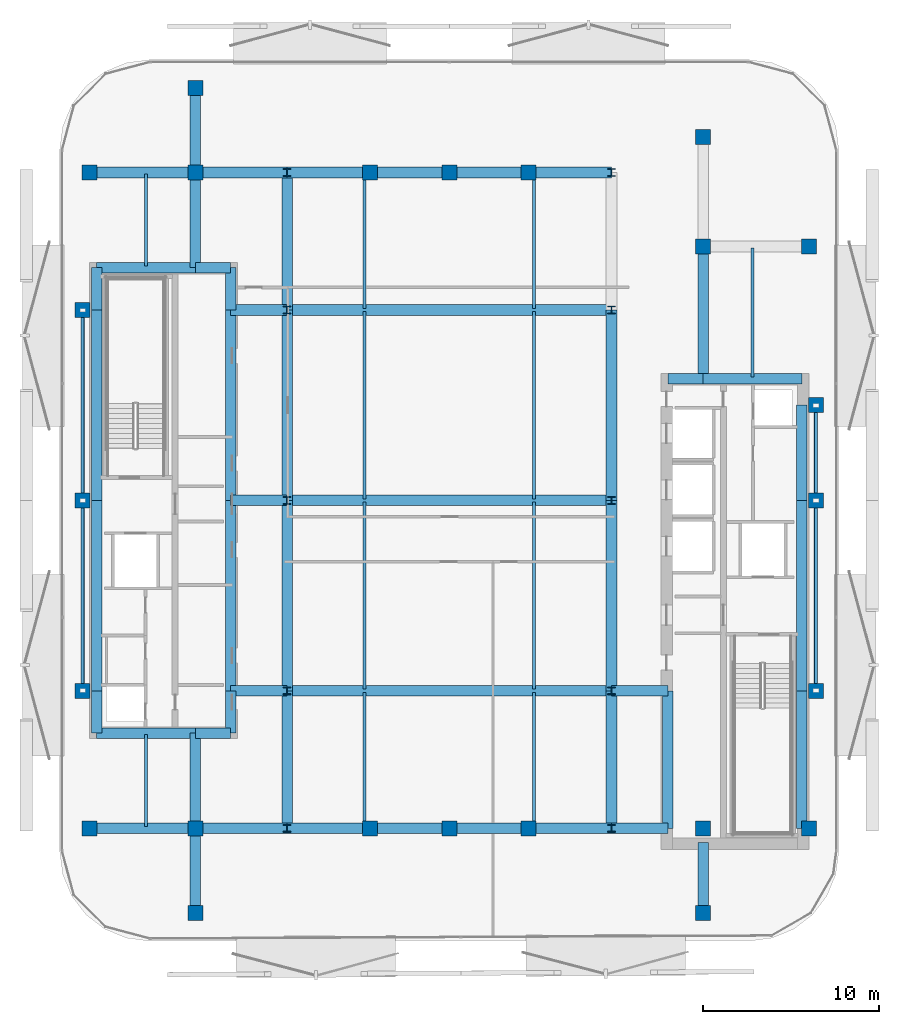
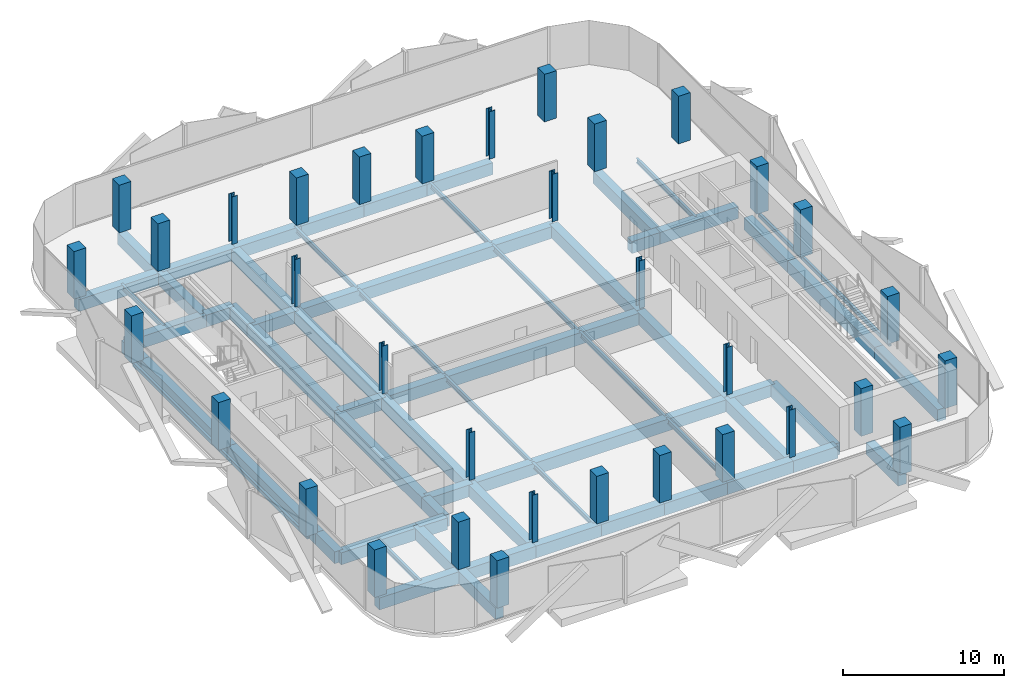
# One storey, part 1 of 11: 66 beams, 34 columns.
"""IFC4 building model written with IfcOpenShell, lengths in metres."""

from ifc_helpers import new_model, si_unit, direction, frame, origin, origin_2d, place, context, subcontext, project, spatial, rectangle, hollow_rectangle, i_section, extrude, material, material_profile, profile_set, type_object, element, save


model = new_model("IFC4")

# Units and contexts
model_context = context("Model", 3, precision=1e-05, world=origin(), true_north=direction((0.0, 1.0)))
body_context = subcontext(model_context, "Body", "Model", "MODEL_VIEW")
ifc_project = project(units=[si_unit("LENGTHUNIT", "METRE"), si_unit("AREAUNIT", "SQUARE_METRE"), si_unit("VOLUMEUNIT", "CUBIC_METRE"), si_unit("PLANEANGLEUNIT", "RADIAN"), si_unit("MASSUNIT", "GRAM", prefix="KILO")], contexts=[model_context])

# Site, building, storey
site_placement = place(None, origin())
site = spatial("IfcSite", under=ifc_project, at=site_placement, CompositionType="ELEMENT")
building_placement = place(site_placement, origin())
building = spatial("IfcBuilding", under=site, at=building_placement, Name="Khairoan Windgate Tower", CompositionType="ELEMENT")
storey_placement = place(building_placement, frame((0.0, 0.0, 222.39990234375)))
storey = spatial("IfcBuildingStorey", under=building, at=storey_placement, Name="L51", CompositionType="ELEMENT", Elevation=222.39990234375)

# Columns
ifc_material_1 = material(Name="Concrete C50/60", Category="concrete")
ifc_material_profile_1 = material_profile(ifc_material_1, rectangle(XDim=0.85009765625, YDim=0.85009765625, at=origin_2d()))
ifc_profile_set_1 = profile_set([ifc_material_profile_1], Name="Concrete C50/60")
column_type_1 = type_object("IfcColumnType", Name="Column C-T5 RC850x850", PredefinedType="COLUMN", material=ifc_profile_set_1)
for number, where, z_axis, x_axis, name in (
    (1, (-20.39990234375, -18.60009765625, 0.0), (0.0, 0.0, 1.0), (1.0, 0.0, 0.0), "Column L51-11"),
    (2, (-20.39990234375, 18.60009765625, 0.0), (0.0, 0.0, 1.0), (1.0, 0.0, 0.0), "Column L51-12"),
    (3, (20.39990234375, -18.60009765625, 0.0), (0.0, 0.0, 1.0), (1.0, 0.0, 0.0), "Column L51-13"),
    (4, (20.39990234375, 14.39990234375, 0.0), (0.0, 0.0, 1.0), (1.0, 0.0, 0.0), "Column L51-14"),
    (5, (-14.39990234375, -18.60009765625, 0.0), (0.0, 0.0, 1.0), (1.0, 0.0, 0.0), "Column L51-15"),
    (6, (-14.39990234375, 18.60009765625, 0.0), (0.0, 0.0, 1.0), (1.0, 0.0, 0.0), "Column L51-16"),
    (7, (14.39990234375, -18.60009765625, 0.0), (0.0, 0.0, 1.0), (1.0, 0.0, 0.0), "Column L51-17"),
    (8, (14.39990234375, 14.39990234375, 0.0), (0.0, 0.0, 1.0), (1.0, 0.0, 0.0), "Column L51-18"),
    (9, (-4.5, -18.60009765625, 0.0), (0.0, 0.0, 1.0), (1.0, 0.0, 0.0), "Column L51-19"),
    (10, (0.0, -18.60009765625, 0.0), (0.0, 0.0, 1.0), (1.0, 0.0, 0.0), "Column L51-20"),
    (11, (4.5, -18.60009765625, 0.0), (0.0, 0.0, 1.0), (1.0, 0.0, 0.0), "Column L51-21"),
    (12, (-4.5, 18.60009765625, 0.0), (0.0, 0.0, 1.0), (1.0, 0.0, 0.0), "Column L51-22"),
    (13, (0.0, 18.60009765625, 0.0), (0.0, 0.0, 1.0), (1.0, 0.0, 0.0), "Column L51-23"),
    (14, (4.5, 18.60009765625, 0.0), (0.0, 0.0, 1.0), (1.0, 0.0, 0.0), "Column L51-24"),
    (15, (-20.800048828125, -10.800048828125, 0.0), (0.0, 0.0, 1.0), (1.0, 0.0, 0.0), "Column L51-25"),
    (16, (-20.800048828125, 0.0, 0.0), (0.0, 0.0, 1.0), (1.0, 0.0, 0.0), "Column L51-26"),
    (17, (-20.800048828125, 10.800048828125, 0.0), (0.0, 0.0, 1.0), (1.0, 0.0, 0.0), "Column L51-27"),
    (18, (20.800048828125, -10.800048828125, 0.0), (0.0, 0.0, 1.0), (1.0, 0.0, 0.0), "Column L51-28"),
    (19, (20.800048828125, 0.0, 0.0), (0.0, 0.0, 1.0), (1.0, 0.0, 0.0), "Column L51-29"),
    (20, (20.800048828125, 5.39990234375, 0.0), (0.0, 0.0, 1.0), (1.0, 0.0, 0.0), "Column L51-30"),
    (21, (-14.39990234375, -23.39990234375, 0.0), (0.0, 0.0, 1.0), (1.0, 0.0, 0.0), "Column L51-31"),
    (22, (-14.39990234375, 23.39990234375, 0.0), (0.0, 0.0, 1.0), (1.0, 0.0, 0.0), "Column L51-32"),
    (23, (14.39990234375, -23.39990234375, 0.0), (0.0, 0.0, 1.0), (1.0, 0.0, 0.0), "Column L51-33"),
    (24, (14.39990234375, 20.60009765625, 0.0), (0.0, 0.0, 1.0), (1.0, 0.0, 0.0), "Column L51-34"),
):
    element("IfcColumn", number, at=place(storey_placement, frame(where, z_axis=z_axis, x_axis=x_axis)), inside=storey, type_object=column_type_1, Name=name, PredefinedType="COLUMN", context=body_context, shape_type="SweptSolid", body=[
        extrude(rectangle(XDim=0.85009765625, YDim=0.85009765625, at=origin_2d()), origin(), (0.0, 0.0, 1.0), 3.60009765625),
    ])
ifc_material_2 = material(Name="Steel S355", Category="steel")
ifc_material_profile_2 = material_profile(ifc_material_2, i_section(OverallWidth=0.406982421875, OverallDepth=0.427978515625, WebThickness=0.02001953125, FlangeThickness=0.034912109375, FilletRadius=0.02197265625, at=origin_2d()))
ifc_profile_set_2 = profile_set([ifc_material_profile_2], Name="Steel S355")
column_type_2 = type_object("IfcColumnType", Name="Steel Column SC3 H428x407x20x35", PredefinedType="COLUMN", material=ifc_profile_set_2)
for number, where, z_axis, x_axis, name in (
    (25, (-9.199951171875, -18.60009765625, 0.0), (0.0, 0.0, 1.0), (1.0, 0.0, 0.0), "Column L51-01"),
    (26, (-9.199951171875, -10.800048828125, 0.0), (0.0, 0.0, 1.0), (1.0, 0.0, 0.0), "Column L51-02"),
    (27, (-9.199951171875, 0.0, 0.0), (0.0, 0.0, 1.0), (1.0, 0.0, 0.0), "Column L51-03"),
    (28, (-9.199951171875, 10.800048828125, 0.0), (0.0, 0.0, 1.0), (1.0, 0.0, 0.0), "Column L51-04"),
    (29, (-9.199951171875, 18.60009765625, 0.0), (0.0, 0.0, 1.0), (1.0, 0.0, 0.0), "Column L51-05"),
    (30, (9.199951171875, -18.60009765625, 0.0), (0.0, 0.0, 1.0), (1.0, 0.0, 0.0), "Column L51-06"),
    (31, (9.199951171875, -10.800048828125, 0.0), (0.0, 0.0, 1.0), (1.0, 0.0, 0.0), "Column L51-07"),
    (32, (9.199951171875, 0.0, 0.0), (0.0, 0.0, 1.0), (1.0, 0.0, 0.0), "Column L51-08"),
    (33, (9.199951171875, 10.800048828125, 0.0), (0.0, 0.0, 1.0), (1.0, 0.0, 0.0), "Column L51-09"),
    (34, (9.199951171875, 18.60009765625, 0.0), (0.0, 0.0, 1.0), (1.0, 0.0, 0.0), "Column L51-10"),
):
    element("IfcColumn", number, at=place(storey_placement, frame(where, z_axis=z_axis, x_axis=x_axis)), inside=storey, type_object=column_type_2, Name=name, PredefinedType="COLUMN", context=body_context, shape_type="SweptSolid", body=[
        extrude(i_section(OverallWidth=0.406982421875, OverallDepth=0.427978515625, WebThickness=0.02001953125, FlangeThickness=0.034912109375, FilletRadius=0.02197265625, at=origin_2d()), origin(), (0.0, 0.0, 1.0), 3.60009765625),
    ])

# Beams
ifc_material_3 = material(Name="Concrete C50/60", Category="concrete")
ifc_material_profile_3 = material_profile(ifc_material_3, rectangle(XDim=0.60009765625, YDim=0.89990234375, at=origin_2d()))
ifc_profile_set_3 = profile_set([ifc_material_profile_3], Name="Concrete C50/60")
beam_type_1 = type_object("IfcBeamType", Name="Beam B-RC1 RC600x900", PredefinedType="BEAM", material=ifc_profile_set_3)
beam_1_placement = place(storey_placement, frame((-20.39990234375, -18.60009765625, -0.7099609375), z_axis=(1.0, 0.0, 0.0), x_axis=(0.0, 1.0, 0.0)))
element("IfcBeam", 35, at=beam_1_placement, inside=storey, type_object=beam_type_1, Name="L51 E-W Primary Girder 01", PredefinedType="BEAM", context=body_context, shape_type="SweptSolid", body=[
    extrude(rectangle(XDim=0.60009765625, YDim=0.89990234375, at=origin_2d()), origin(), (0.0, 0.0, 1.0), 6.0),
])
beam_2_placement = place(storey_placement, frame((-14.39990234375, -18.60009765625, -0.7099609375), z_axis=(1.0, 0.0, 0.0), x_axis=(0.0, 1.0, 0.0)))
element("IfcBeam", 36, at=beam_2_placement, inside=storey, type_object=beam_type_1, Name="L51 E-W Primary Girder 02", PredefinedType="BEAM", context=body_context, shape_type="SweptSolid", body=[
    extrude(rectangle(XDim=0.60009765625, YDim=0.89990234375, at=origin_2d()), origin(), (0.0, 0.0, 1.0), 5.199951171875),
])
beam_3_placement = place(storey_placement, frame((-9.199951171875, -18.60009765625, -0.7099609375), z_axis=(1.0, 0.0, 0.0), x_axis=(0.0, 1.0, 0.0)))
element("IfcBeam", 37, at=beam_3_placement, inside=storey, type_object=beam_type_1, Name="L51 E-W Primary Girder 03", PredefinedType="BEAM", context=body_context, shape_type="SweptSolid", body=[
    extrude(rectangle(XDim=0.60009765625, YDim=0.89990234375, at=origin_2d()), origin(), (0.0, 0.0, 1.0), 4.699951171875),
])
for number, where, z_axis, x_axis, name in (
    (38, (-4.5, -18.60009765625, -0.7099609375), (1.0, 0.0, 0.0), (0.0, 1.0, 0.0), "L51 E-W Primary Girder 04"),
    (39, (0.0, -18.60009765625, -0.7099609375), (1.0, 0.0, 0.0), (0.0, 1.0, 0.0), "L51 E-W Primary Girder 05"),
):
    element("IfcBeam", number, at=place(storey_placement, frame(where, z_axis=z_axis, x_axis=x_axis)), inside=storey, type_object=beam_type_1, Name=name, PredefinedType="BEAM", context=body_context, shape_type="SweptSolid", body=[
        extrude(rectangle(XDim=0.60009765625, YDim=0.89990234375, at=origin_2d()), origin(), (0.0, 0.0, 1.0), 4.5),
    ])
beam_4_placement = place(storey_placement, frame((4.5, -18.60009765625, -0.7099609375), z_axis=(1.0, 0.0, 0.0), x_axis=(0.0, 1.0, 0.0)))
element("IfcBeam", 40, at=beam_4_placement, inside=storey, type_object=beam_type_1, Name="L51 E-W Primary Girder 06", PredefinedType="BEAM", context=body_context, shape_type="SweptSolid", body=[
    extrude(rectangle(XDim=0.60009765625, YDim=0.89990234375, at=origin_2d()), origin(), (0.0, 0.0, 1.0), 4.699951171875),
])
beam_5_placement = place(storey_placement, frame((9.199951171875, -18.60009765625, -0.7099609375), z_axis=(1.0, 0.0, 0.0), x_axis=(0.0, 1.0, 0.0)))
element("IfcBeam", 41, at=beam_5_placement, inside=storey, type_object=beam_type_1, Name="L51 E-W Primary Girder 07", PredefinedType="BEAM", context=body_context, shape_type="SweptSolid", body=[
    extrude(rectangle(XDim=0.60009765625, YDim=0.89990234375, at=origin_2d()), origin(), (0.0, 0.0, 1.0), 3.199951171875),
])
beam_6_placement = place(storey_placement, frame((-20.0, -13.199951171875, -0.7099609375), z_axis=(1.0, 0.0, 0.0), x_axis=(0.0, 1.0, 0.0)))
element("IfcBeam", 42, at=beam_6_placement, inside=storey, type_object=beam_type_1, Name="L51 E-W Primary Girder 08", PredefinedType="BEAM", context=body_context, shape_type="SweptSolid", body=[
    extrude(rectangle(XDim=0.60009765625, YDim=0.89990234375, at=origin_2d()), origin(), (0.0, 0.0, 1.0), 5.60009765625),
])
beam_7_placement = place(storey_placement, frame((-14.39990234375, -13.199951171875, -0.7099609375), z_axis=(1.0, 0.0, 0.0), x_axis=(0.0, 1.0, 0.0)))
element("IfcBeam", 43, at=beam_7_placement, inside=storey, type_object=beam_type_1, Name="L51 E-W Primary Girder 09", PredefinedType="BEAM", context=body_context, shape_type="SweptSolid", body=[
    extrude(rectangle(XDim=0.60009765625, YDim=0.89990234375, at=origin_2d()), origin(), (0.0, 0.0, 1.0), 2.0),
])
beam_8_placement = place(storey_placement, frame((-12.39990234375, -10.800048828125, -0.7099609375), z_axis=(1.0, 0.0, 0.0), x_axis=(0.0, 1.0, 0.0)))
element("IfcBeam", 44, at=beam_8_placement, inside=storey, type_object=beam_type_1, Name="L51 E-W Primary Girder 10", PredefinedType="BEAM", context=body_context, shape_type="SweptSolid", body=[
    extrude(rectangle(XDim=0.60009765625, YDim=0.89990234375, at=origin_2d()), origin(), (0.0, 0.0, 1.0), 3.199951171875),
])
beam_9_placement = place(storey_placement, frame((-9.199951171875, -10.800048828125, -0.7099609375), z_axis=(1.0, 0.0, 0.0), x_axis=(0.0, 1.0, 0.0)))
element("IfcBeam", 45, at=beam_9_placement, inside=storey, type_object=beam_type_1, Name="L51 E-W Primary Girder 11", PredefinedType="BEAM", context=body_context, shape_type="SweptSolid", body=[
    extrude(rectangle(XDim=0.60009765625, YDim=0.89990234375, at=origin_2d()), origin(), (0.0, 0.0, 1.0), 18.39990234375),
])
for number, where, z_axis, x_axis, name in (
    (46, (9.199951171875, -10.800048828125, -0.7099609375), (1.0, 0.0, 0.0), (0.0, 1.0, 0.0), "L51 E-W Primary Girder 12"),
    (47, (-12.39990234375, 0.0, -0.7099609375), (1.0, 0.0, 0.0), (0.0, 1.0, 0.0), "L51 E-W Primary Girder 13"),
):
    element("IfcBeam", number, at=place(storey_placement, frame(where, z_axis=z_axis, x_axis=x_axis)), inside=storey, type_object=beam_type_1, Name=name, PredefinedType="BEAM", context=body_context, shape_type="SweptSolid", body=[
        extrude(rectangle(XDim=0.60009765625, YDim=0.89990234375, at=origin_2d()), origin(), (0.0, 0.0, 1.0), 3.199951171875),
    ])
beam_10_placement = place(storey_placement, frame((-9.199951171875, 0.0, -0.7099609375), z_axis=(1.0, 0.0, 0.0), x_axis=(0.0, 1.0, 0.0)))
element("IfcBeam", 48, at=beam_10_placement, inside=storey, type_object=beam_type_1, Name="L51 E-W Primary Girder 14", PredefinedType="BEAM", context=body_context, shape_type="SweptSolid", body=[
    extrude(rectangle(XDim=0.60009765625, YDim=0.89990234375, at=origin_2d()), origin(), (0.0, 0.0, 1.0), 18.39990234375),
])
beam_11_placement = place(storey_placement, frame((12.39990234375, 6.89990234375, -0.7099609375), z_axis=(1.0, 0.0, 0.0), x_axis=(0.0, 1.0, 0.0)))
element("IfcBeam", 49, at=beam_11_placement, inside=storey, type_object=beam_type_1, Name="L51 E-W Primary Girder 15", PredefinedType="BEAM", context=body_context, shape_type="SweptSolid", body=[
    extrude(rectangle(XDim=0.60009765625, YDim=0.89990234375, at=origin_2d()), origin(), (0.0, 0.0, 1.0), 2.0),
])
beam_12_placement = place(storey_placement, frame((14.39990234375, 6.89990234375, -0.7099609375), z_axis=(1.0, 0.0, 0.0), x_axis=(0.0, 1.0, 0.0)))
element("IfcBeam", 50, at=beam_12_placement, inside=storey, type_object=beam_type_1, Name="L51 E-W Primary Girder 16", PredefinedType="BEAM", context=body_context, shape_type="SweptSolid", body=[
    extrude(rectangle(XDim=0.60009765625, YDim=0.89990234375, at=origin_2d()), origin(), (0.0, 0.0, 1.0), 5.60009765625),
])
beam_13_placement = place(storey_placement, frame((-12.39990234375, 10.800048828125, -0.7099609375), z_axis=(1.0, 0.0, 0.0), x_axis=(0.0, 1.0, 0.0)))
element("IfcBeam", 51, at=beam_13_placement, inside=storey, type_object=beam_type_1, Name="L51 E-W Primary Girder 17", PredefinedType="BEAM", context=body_context, shape_type="SweptSolid", body=[
    extrude(rectangle(XDim=0.60009765625, YDim=0.89990234375, at=origin_2d()), origin(), (0.0, 0.0, 1.0), 3.199951171875),
])
beam_14_placement = place(storey_placement, frame((-9.199951171875, 10.800048828125, -0.7099609375), z_axis=(1.0, 0.0, 0.0), x_axis=(0.0, 1.0, 0.0)))
element("IfcBeam", 52, at=beam_14_placement, inside=storey, type_object=beam_type_1, Name="L51 E-W Primary Girder 18", PredefinedType="BEAM", context=body_context, shape_type="SweptSolid", body=[
    extrude(rectangle(XDim=0.60009765625, YDim=0.89990234375, at=origin_2d()), origin(), (0.0, 0.0, 1.0), 18.39990234375),
])
beam_15_placement = place(storey_placement, frame((-20.0, 13.199951171875, -0.7099609375), z_axis=(1.0, 0.0, 0.0), x_axis=(0.0, 1.0, 0.0)))
element("IfcBeam", 53, at=beam_15_placement, inside=storey, type_object=beam_type_1, Name="L51 E-W Primary Girder 19", PredefinedType="BEAM", context=body_context, shape_type="SweptSolid", body=[
    extrude(rectangle(XDim=0.60009765625, YDim=0.89990234375, at=origin_2d()), origin(), (0.0, 0.0, 1.0), 5.60009765625),
])
beam_16_placement = place(storey_placement, frame((-14.39990234375, 13.199951171875, -0.7099609375), z_axis=(1.0, 0.0, 0.0), x_axis=(0.0, 1.0, 0.0)))
element("IfcBeam", 54, at=beam_16_placement, inside=storey, type_object=beam_type_1, Name="L51 E-W Primary Girder 20", PredefinedType="BEAM", context=body_context, shape_type="SweptSolid", body=[
    extrude(rectangle(XDim=0.60009765625, YDim=0.89990234375, at=origin_2d()), origin(), (0.0, 0.0, 1.0), 2.0),
])
beam_17_placement = place(storey_placement, frame((-20.39990234375, 18.60009765625, -0.7099609375), z_axis=(1.0, 0.0, 0.0), x_axis=(0.0, 1.0, 0.0)))
element("IfcBeam", 55, at=beam_17_placement, inside=storey, type_object=beam_type_1, Name="L51 E-W Primary Girder 22", PredefinedType="BEAM", context=body_context, shape_type="SweptSolid", body=[
    extrude(rectangle(XDim=0.60009765625, YDim=0.89990234375, at=origin_2d()), origin(), (0.0, 0.0, 1.0), 6.0),
])
beam_18_placement = place(storey_placement, frame((-14.39990234375, 18.60009765625, -0.7099609375), z_axis=(1.0, 0.0, 0.0), x_axis=(0.0, 1.0, 0.0)))
element("IfcBeam", 56, at=beam_18_placement, inside=storey, type_object=beam_type_1, Name="L51 E-W Primary Girder 23", PredefinedType="BEAM", context=body_context, shape_type="SweptSolid", body=[
    extrude(rectangle(XDim=0.60009765625, YDim=0.89990234375, at=origin_2d()), origin(), (0.0, 0.0, 1.0), 5.199951171875),
])
beam_19_placement = place(storey_placement, frame((-9.199951171875, 18.60009765625, -0.7099609375), z_axis=(1.0, 0.0, 0.0), x_axis=(0.0, 1.0, 0.0)))
element("IfcBeam", 57, at=beam_19_placement, inside=storey, type_object=beam_type_1, Name="L51 E-W Primary Girder 24", PredefinedType="BEAM", context=body_context, shape_type="SweptSolid", body=[
    extrude(rectangle(XDim=0.60009765625, YDim=0.89990234375, at=origin_2d()), origin(), (0.0, 0.0, 1.0), 4.699951171875),
])
for number, where, z_axis, x_axis, name in (
    (58, (-4.5, 18.60009765625, -0.7099609375), (1.0, 0.0, 0.0), (0.0, 1.0, 0.0), "L51 E-W Primary Girder 25"),
    (59, (0.0, 18.60009765625, -0.7099609375), (1.0, 0.0, 0.0), (0.0, 1.0, 0.0), "L51 E-W Primary Girder 26"),
):
    element("IfcBeam", number, at=place(storey_placement, frame(where, z_axis=z_axis, x_axis=x_axis)), inside=storey, type_object=beam_type_1, Name=name, PredefinedType="BEAM", context=body_context, shape_type="SweptSolid", body=[
        extrude(rectangle(XDim=0.60009765625, YDim=0.89990234375, at=origin_2d()), origin(), (0.0, 0.0, 1.0), 4.5),
    ])
beam_20_placement = place(storey_placement, frame((4.5, 18.60009765625, -0.7099609375), z_axis=(1.0, 0.0, 0.0), x_axis=(0.0, 1.0, 0.0)))
element("IfcBeam", 60, at=beam_20_placement, inside=storey, type_object=beam_type_1, Name="L51 E-W Primary Girder 27", PredefinedType="BEAM", context=body_context, shape_type="SweptSolid", body=[
    extrude(rectangle(XDim=0.60009765625, YDim=0.89990234375, at=origin_2d()), origin(), (0.0, 0.0, 1.0), 4.699951171875),
])
beam_21_placement = place(storey_placement, frame((-20.0, -13.199951171875, -0.7099609375), z_axis=(0.0, 1.0, 0.0), x_axis=(-1.0, 0.0, 0.0)))
element("IfcBeam", 61, at=beam_21_placement, inside=storey, type_object=beam_type_1, Name="L51 N-S Primary Beam 30", PredefinedType="BEAM", context=body_context, shape_type="SweptSolid", body=[
    extrude(rectangle(XDim=0.60009765625, YDim=0.89990234375, at=origin_2d()), origin(), (0.0, 0.0, 1.0), 2.39990234375),
])
for number, where, z_axis, x_axis, name in (
    (62, (-20.0, -10.800048828125, -0.7099609375), (0.0, 1.0, 0.0), (-1.0, 0.0, 0.0), "L51 N-S Primary Beam 31"),
    (63, (-20.0, 0.0, -0.7099609375), (0.0, 1.0, 0.0), (-1.0, 0.0, 0.0), "L51 N-S Primary Beam 32"),
):
    element("IfcBeam", number, at=place(storey_placement, frame(where, z_axis=z_axis, x_axis=x_axis)), inside=storey, type_object=beam_type_1, Name=name, PredefinedType="BEAM", context=body_context, shape_type="SweptSolid", body=[
        extrude(rectangle(XDim=0.60009765625, YDim=0.89990234375, at=origin_2d()), origin(), (0.0, 0.0, 1.0), 10.800048828125),
    ])
beam_22_placement = place(storey_placement, frame((-20.0, 10.800048828125, -0.7099609375), z_axis=(0.0, 1.0, 0.0), x_axis=(-1.0, 0.0, 0.0)))
element("IfcBeam", 64, at=beam_22_placement, inside=storey, type_object=beam_type_1, Name="L51 N-S Primary Beam 33", PredefinedType="BEAM", context=body_context, shape_type="SweptSolid", body=[
    extrude(rectangle(XDim=0.60009765625, YDim=0.89990234375, at=origin_2d()), origin(), (0.0, 0.0, 1.0), 2.39990234375),
])
beam_23_placement = place(storey_placement, frame((-14.39990234375, -23.39990234375, -0.7099609375), z_axis=(0.0, 1.0, 0.0), x_axis=(-1.0, 0.0, 0.0)))
element("IfcBeam", 65, at=beam_23_placement, inside=storey, type_object=beam_type_1, Name="L51 N-S Primary Beam 34", PredefinedType="BEAM", context=body_context, shape_type="SweptSolid", body=[
    extrude(rectangle(XDim=0.60009765625, YDim=0.89990234375, at=origin_2d()), origin(), (0.0, 0.0, 1.0), 4.7998046875),
])
for number, where, z_axis, x_axis, name in (
    (66, (-14.39990234375, -18.60009765625, -0.7099609375), (0.0, 1.0, 0.0), (-1.0, 0.0, 0.0), "L51 N-S Primary Beam 35"),
    (67, (-14.39990234375, 13.199951171875, -0.7099609375), (0.0, 1.0, 0.0), (-1.0, 0.0, 0.0), "L51 N-S Primary Beam 36"),
):
    element("IfcBeam", number, at=place(storey_placement, frame(where, z_axis=z_axis, x_axis=x_axis)), inside=storey, type_object=beam_type_1, Name=name, PredefinedType="BEAM", context=body_context, shape_type="SweptSolid", body=[
        extrude(rectangle(XDim=0.60009765625, YDim=0.89990234375, at=origin_2d()), origin(), (0.0, 0.0, 1.0), 5.400146484375),
    ])
beam_24_placement = place(storey_placement, frame((-14.39990234375, 18.60009765625, -0.7099609375), z_axis=(0.0, 1.0, 0.0), x_axis=(-1.0, 0.0, 0.0)))
element("IfcBeam", 68, at=beam_24_placement, inside=storey, type_object=beam_type_1, Name="L51 N-S Primary Beam 37", PredefinedType="BEAM", context=body_context, shape_type="SweptSolid", body=[
    extrude(rectangle(XDim=0.60009765625, YDim=0.89990234375, at=origin_2d()), origin(), (0.0, 0.0, 1.0), 4.7998046875),
])
beam_25_placement = place(storey_placement, frame((-12.39990234375, -13.199951171875, -0.7099609375), z_axis=(0.0, 1.0, 0.0), x_axis=(-1.0, 0.0, 0.0)))
element("IfcBeam", 69, at=beam_25_placement, inside=storey, type_object=beam_type_1, Name="L51 N-S Primary Beam 38", PredefinedType="BEAM", context=body_context, shape_type="SweptSolid", body=[
    extrude(rectangle(XDim=0.60009765625, YDim=0.89990234375, at=origin_2d()), origin(), (0.0, 0.0, 1.0), 2.39990234375),
])
for number, where, z_axis, x_axis, name in (
    (70, (-12.39990234375, -10.800048828125, -0.7099609375), (0.0, 1.0, 0.0), (-1.0, 0.0, 0.0), "L51 N-S Primary Beam 39"),
    (71, (-12.39990234375, 0.0, -0.7099609375), (0.0, 1.0, 0.0), (-1.0, 0.0, 0.0), "L51 N-S Primary Beam 40"),
):
    element("IfcBeam", number, at=place(storey_placement, frame(where, z_axis=z_axis, x_axis=x_axis)), inside=storey, type_object=beam_type_1, Name=name, PredefinedType="BEAM", context=body_context, shape_type="SweptSolid", body=[
        extrude(rectangle(XDim=0.60009765625, YDim=0.89990234375, at=origin_2d()), origin(), (0.0, 0.0, 1.0), 10.800048828125),
    ])
beam_26_placement = place(storey_placement, frame((-12.39990234375, 10.800048828125, -0.7099609375), z_axis=(0.0, 1.0, 0.0), x_axis=(-1.0, 0.0, 0.0)))
element("IfcBeam", 72, at=beam_26_placement, inside=storey, type_object=beam_type_1, Name="L51 N-S Primary Beam 41", PredefinedType="BEAM", context=body_context, shape_type="SweptSolid", body=[
    extrude(rectangle(XDim=0.60009765625, YDim=0.89990234375, at=origin_2d()), origin(), (0.0, 0.0, 1.0), 2.39990234375),
])
beam_27_placement = place(storey_placement, frame((-9.199951171875, -18.60009765625, -0.7099609375), z_axis=(0.0, 1.0, 0.0), x_axis=(-1.0, 0.0, 0.0)))
element("IfcBeam", 73, at=beam_27_placement, inside=storey, type_object=beam_type_1, Name="L51 N-S Primary Beam 42", PredefinedType="BEAM", context=body_context, shape_type="SweptSolid", body=[
    extrude(rectangle(XDim=0.60009765625, YDim=0.89990234375, at=origin_2d()), origin(), (0.0, 0.0, 1.0), 7.800048828125),
])
for number, where, z_axis, x_axis, name in (
    (74, (-9.199951171875, -10.800048828125, -0.7099609375), (0.0, 1.0, 0.0), (-1.0, 0.0, 0.0), "L51 N-S Primary Beam 43"),
    (75, (-9.199951171875, 0.0, -0.7099609375), (0.0, 1.0, 0.0), (-1.0, 0.0, 0.0), "L51 N-S Primary Beam 44"),
):
    element("IfcBeam", number, at=place(storey_placement, frame(where, z_axis=z_axis, x_axis=x_axis)), inside=storey, type_object=beam_type_1, Name=name, PredefinedType="BEAM", context=body_context, shape_type="SweptSolid", body=[
        extrude(rectangle(XDim=0.60009765625, YDim=0.89990234375, at=origin_2d()), origin(), (0.0, 0.0, 1.0), 10.800048828125),
    ])
for number, where, z_axis, x_axis, name in (
    (76, (-9.199951171875, 10.800048828125, -0.7099609375), (0.0, 1.0, 0.0), (-1.0, 0.0, 0.0), "L51 N-S Primary Beam 45"),
    (77, (9.199951171875, -18.60009765625, -0.7099609375), (0.0, 1.0, 0.0), (-1.0, 0.0, 0.0), "L51 N-S Primary Beam 46"),
):
    element("IfcBeam", number, at=place(storey_placement, frame(where, z_axis=z_axis, x_axis=x_axis)), inside=storey, type_object=beam_type_1, Name=name, PredefinedType="BEAM", context=body_context, shape_type="SweptSolid", body=[
        extrude(rectangle(XDim=0.60009765625, YDim=0.89990234375, at=origin_2d()), origin(), (0.0, 0.0, 1.0), 7.800048828125),
    ])
for number, where, z_axis, x_axis, name in (
    (78, (9.199951171875, -10.800048828125, -0.7099609375), (0.0, 1.0, 0.0), (-1.0, 0.0, 0.0), "L51 N-S Primary Beam 47"),
    (79, (9.199951171875, 0.0, -0.7099609375), (0.0, 1.0, 0.0), (-1.0, 0.0, 0.0), "L51 N-S Primary Beam 48"),
):
    element("IfcBeam", number, at=place(storey_placement, frame(where, z_axis=z_axis, x_axis=x_axis)), inside=storey, type_object=beam_type_1, Name=name, PredefinedType="BEAM", context=body_context, shape_type="SweptSolid", body=[
        extrude(rectangle(XDim=0.60009765625, YDim=0.89990234375, at=origin_2d()), origin(), (0.0, 0.0, 1.0), 10.800048828125),
    ])
beam_28_placement = place(storey_placement, frame((12.39990234375, -18.60009765625, -0.7099609375), z_axis=(0.0, 1.0, 0.0), x_axis=(-1.0, 0.0, 0.0)))
element("IfcBeam", 80, at=beam_28_placement, inside=storey, type_object=beam_type_1, Name="L51 N-S Primary Beam 50", PredefinedType="BEAM", context=body_context, shape_type="SweptSolid", body=[
    extrude(rectangle(XDim=0.60009765625, YDim=0.89990234375, at=origin_2d()), origin(), (0.0, 0.0, 1.0), 7.800048828125),
])
beam_29_placement = place(storey_placement, frame((14.39990234375, -23.39990234375, -0.7099609375), z_axis=(0.0, 1.0, 0.0), x_axis=(-1.0, 0.0, 0.0)))
element("IfcBeam", 81, at=beam_29_placement, inside=storey, type_object=beam_type_1, Name="L51 N-S Primary Beam 51", PredefinedType="BEAM", context=body_context, shape_type="SweptSolid", body=[
    extrude(rectangle(XDim=0.60009765625, YDim=0.89990234375, at=origin_2d()), origin(), (0.0, 0.0, 1.0), 4.0),
])
beam_30_placement = place(storey_placement, frame((14.39990234375, 6.89990234375, -0.7099609375), z_axis=(0.0, 1.0, 0.0), x_axis=(-1.0, 0.0, 0.0)))
element("IfcBeam", 82, at=beam_30_placement, inside=storey, type_object=beam_type_1, Name="L51 N-S Primary Beam 52", PredefinedType="BEAM", context=body_context, shape_type="SweptSolid", body=[
    extrude(rectangle(XDim=0.60009765625, YDim=0.89990234375, at=origin_2d()), origin(), (0.0, 0.0, 1.0), 7.5),
])
beam_31_placement = place(storey_placement, frame((20.0, -18.60009765625, -0.7099609375), z_axis=(0.0, 1.0, 0.0), x_axis=(-1.0, 0.0, 0.0)))
element("IfcBeam", 83, at=beam_31_placement, inside=storey, type_object=beam_type_1, Name="L51 N-S Primary Beam 54", PredefinedType="BEAM", context=body_context, shape_type="SweptSolid", body=[
    extrude(rectangle(XDim=0.60009765625, YDim=0.89990234375, at=origin_2d()), origin(), (0.0, 0.0, 1.0), 7.800048828125),
])
beam_32_placement = place(storey_placement, frame((20.0, -10.800048828125, -0.7099609375), z_axis=(0.0, 1.0, 0.0), x_axis=(-1.0, 0.0, 0.0)))
element("IfcBeam", 84, at=beam_32_placement, inside=storey, type_object=beam_type_1, Name="L51 N-S Primary Beam 55", PredefinedType="BEAM", context=body_context, shape_type="SweptSolid", body=[
    extrude(rectangle(XDim=0.60009765625, YDim=0.89990234375, at=origin_2d()), origin(), (0.0, 0.0, 1.0), 10.800048828125),
])
beam_33_placement = place(storey_placement, frame((20.0, 0.0, -0.7099609375), z_axis=(0.0, 1.0, 0.0), x_axis=(-1.0, 0.0, 0.0)))
element("IfcBeam", 85, at=beam_33_placement, inside=storey, type_object=beam_type_1, Name="L51 N-S Primary Beam 56", PredefinedType="BEAM", context=body_context, shape_type="SweptSolid", body=[
    extrude(rectangle(XDim=0.60009765625, YDim=0.89990234375, at=origin_2d()), origin(), (0.0, 0.0, 1.0), 5.39990234375),
])
ifc_material_4 = material(Name="Steel S355", Category="steel")
ifc_material_profile_4 = material_profile(ifc_material_4, i_section(OverallWidth=0.175048828125, OverallDepth=0.35009765625, WebThickness=0.007080078125, FlangeThickness=0.010986328125, FilletRadius=0.013916015625, at=origin_2d()))
ifc_profile_set_4 = profile_set([ifc_material_profile_4], Name="Steel S355")
beam_type_2 = type_object("IfcBeamType", Name="Beam J-S5 H350x175x7x11", PredefinedType="JOIST", material=ifc_profile_set_4)
for number, where, z_axis, x_axis, name in (
    (86, (-17.199951171875, -18.510009765625, -0.434814453125), (0.0, 1.0, 0.0), (-1.0, 0.0, 0.0), "L51 Secondary Floor Joist 01"),
    (87, (-17.199951171875, 13.2900390625, -0.434814453125), (0.0, 1.0, 0.0), (-1.0, 0.0, 0.0), "L51 Secondary Floor Joist 02"),
):
    element("IfcBeam", number, at=place(storey_placement, frame(where, z_axis=z_axis, x_axis=x_axis)), inside=storey, type_object=beam_type_2, Name=name, PredefinedType="JOIST", context=body_context, shape_type="SweptSolid", body=[
        extrude(i_section(OverallWidth=0.175048828125, OverallDepth=0.35009765625, WebThickness=0.007080078125, FlangeThickness=0.010986328125, FilletRadius=0.013916015625, at=origin_2d()), origin(), (0.0, 0.0, 1.0), 5.219970703125),
    ])
beam_34_placement = place(storey_placement, frame((-4.800048828125, -18.510009765625, -0.434814453125), z_axis=(0.0, 1.0, 0.0), x_axis=(-1.0, 0.0, 0.0)))
element("IfcBeam", 88, at=beam_34_placement, inside=storey, type_object=beam_type_2, Name="L51 Secondary Floor Joist 03", PredefinedType="JOIST", context=body_context, shape_type="SweptSolid", body=[
    extrude(i_section(OverallWidth=0.175048828125, OverallDepth=0.35009765625, WebThickness=0.007080078125, FlangeThickness=0.010986328125, FilletRadius=0.013916015625, at=origin_2d()), origin(), (0.0, 0.0, 1.0), 7.6201171875),
])
for number, where, z_axis, x_axis, name in (
    (89, (-4.800048828125, -10.7099609375, -0.434814453125), (0.0, 1.0, 0.0), (-1.0, 0.0, 0.0), "L51 Secondary Floor Joist 04"),
    (90, (-4.800048828125, 0.090087890625, -0.434814453125), (0.0, 1.0, 0.0), (-1.0, 0.0, 0.0), "L51 Secondary Floor Joist 05"),
):
    element("IfcBeam", number, at=place(storey_placement, frame(where, z_axis=z_axis, x_axis=x_axis)), inside=storey, type_object=beam_type_2, Name=name, PredefinedType="JOIST", context=body_context, shape_type="SweptSolid", body=[
        extrude(i_section(OverallWidth=0.175048828125, OverallDepth=0.35009765625, WebThickness=0.007080078125, FlangeThickness=0.010986328125, FilletRadius=0.013916015625, at=origin_2d()), origin(), (0.0, 0.0, 1.0), 10.619873046875),
    ])
for number, where, z_axis, x_axis, name in (
    (91, (-4.800048828125, 10.889892578125, -0.434814453125), (0.0, 1.0, 0.0), (-1.0, 0.0, 0.0), "L51 Secondary Floor Joist 06"),
    (92, (4.800048828125, -18.510009765625, -0.434814453125), (0.0, 1.0, 0.0), (-1.0, 0.0, 0.0), "L51 Secondary Floor Joist 07"),
):
    element("IfcBeam", number, at=place(storey_placement, frame(where, z_axis=z_axis, x_axis=x_axis)), inside=storey, type_object=beam_type_2, Name=name, PredefinedType="JOIST", context=body_context, shape_type="SweptSolid", body=[
        extrude(i_section(OverallWidth=0.175048828125, OverallDepth=0.35009765625, WebThickness=0.007080078125, FlangeThickness=0.010986328125, FilletRadius=0.013916015625, at=origin_2d()), origin(), (0.0, 0.0, 1.0), 7.6201171875),
    ])
for number, where, z_axis, x_axis, name in (
    (93, (4.800048828125, -10.7099609375, -0.434814453125), (0.0, 1.0, 0.0), (-1.0, 0.0, 0.0), "L51 Secondary Floor Joist 08"),
    (94, (4.800048828125, 0.090087890625, -0.434814453125), (0.0, 1.0, 0.0), (-1.0, 0.0, 0.0), "L51 Secondary Floor Joist 09"),
):
    element("IfcBeam", number, at=place(storey_placement, frame(where, z_axis=z_axis, x_axis=x_axis)), inside=storey, type_object=beam_type_2, Name=name, PredefinedType="JOIST", context=body_context, shape_type="SweptSolid", body=[
        extrude(i_section(OverallWidth=0.175048828125, OverallDepth=0.35009765625, WebThickness=0.007080078125, FlangeThickness=0.010986328125, FilletRadius=0.013916015625, at=origin_2d()), origin(), (0.0, 0.0, 1.0), 10.619873046875),
    ])
beam_35_placement = place(storey_placement, frame((4.800048828125, 10.889892578125, -0.434814453125), z_axis=(0.0, 1.0, 0.0), x_axis=(-1.0, 0.0, 0.0)))
element("IfcBeam", 95, at=beam_35_placement, inside=storey, type_object=beam_type_2, Name="L51 Secondary Floor Joist 10", PredefinedType="JOIST", context=body_context, shape_type="SweptSolid", body=[
    extrude(i_section(OverallWidth=0.175048828125, OverallDepth=0.35009765625, WebThickness=0.007080078125, FlangeThickness=0.010986328125, FilletRadius=0.013916015625, at=origin_2d()), origin(), (0.0, 0.0, 1.0), 7.6201171875),
])
beam_36_placement = place(storey_placement, frame((17.199951171875, 6.989990234375, -0.434814453125), z_axis=(0.0, 1.0, 0.0), x_axis=(-1.0, 0.0, 0.0)))
element("IfcBeam", 96, at=beam_36_placement, inside=storey, type_object=beam_type_2, Name="L51 Secondary Floor Joist 11", PredefinedType="JOIST", context=body_context, shape_type="SweptSolid", body=[
    extrude(i_section(OverallWidth=0.175048828125, OverallDepth=0.35009765625, WebThickness=0.007080078125, FlangeThickness=0.010986328125, FilletRadius=0.013916015625, at=origin_2d()), origin(), (0.0, 0.0, 1.0), 7.320068359375),
])
ifc_material_5 = material(Name="Steel S355", Category="steel")
ifc_material_profile_5 = material_profile(ifc_material_5, hollow_rectangle(XDim=0.199951171875, YDim=0.300048828125, WallThickness=0.012451171875, InnerFilletRadius=0.012451171875, OuterFilletRadius=0.02490234375, at=origin_2d()))
ifc_profile_set_5 = profile_set([ifc_material_profile_5], Name="Steel S355")
beam_type_3 = type_object("IfcBeamType", Name="Beam SP-B3 RHS300x200x12.5", PredefinedType="SPANDREL", material=ifc_profile_set_5)
for number, where, z_axis, x_axis, name in (
    (97, (-20.800048828125, -10.800048828125, -0.409912109375), (0.0, 1.0, 0.0), (-1.0, 0.0, 0.0), "L51 Spandrel Beam 28"),
    (98, (-20.800048828125, 0.0, -0.409912109375), (0.0, 1.0, 0.0), (-1.0, 0.0, 0.0), "L51 Spandrel Beam 29"),
    (99, (20.800048828125, -10.800048828125, -0.409912109375), (0.0, 1.0, 0.0), (-1.0, 0.0, 0.0), "L51 Spandrel Beam 57"),
):
    element("IfcBeam", number, at=place(storey_placement, frame(where, z_axis=z_axis, x_axis=x_axis)), inside=storey, type_object=beam_type_3, Name=name, PredefinedType="SPANDREL", context=body_context, shape_type="SweptSolid", body=[
        extrude(hollow_rectangle(XDim=0.199951171875, YDim=0.300048828125, WallThickness=0.012451171875, InnerFilletRadius=0.012451171875, OuterFilletRadius=0.02490234375, at=origin_2d()), origin(), (0.0, 0.0, 1.0), 10.800048828125),
    ])
beam_37_placement = place(storey_placement, frame((20.800048828125, 0.0, -0.409912109375), z_axis=(0.0, 1.0, 0.0), x_axis=(-1.0, 0.0, 0.0)))
element("IfcBeam", 100, at=beam_37_placement, inside=storey, type_object=beam_type_3, Name="L51 Spandrel Beam 58", PredefinedType="SPANDREL", context=body_context, shape_type="SweptSolid", body=[
    extrude(hollow_rectangle(XDim=0.199951171875, YDim=0.300048828125, WallThickness=0.012451171875, InnerFilletRadius=0.012451171875, OuterFilletRadius=0.02490234375, at=origin_2d()), origin(), (0.0, 0.0, 1.0), 5.39990234375),
])

save(model, "model.ifc")
